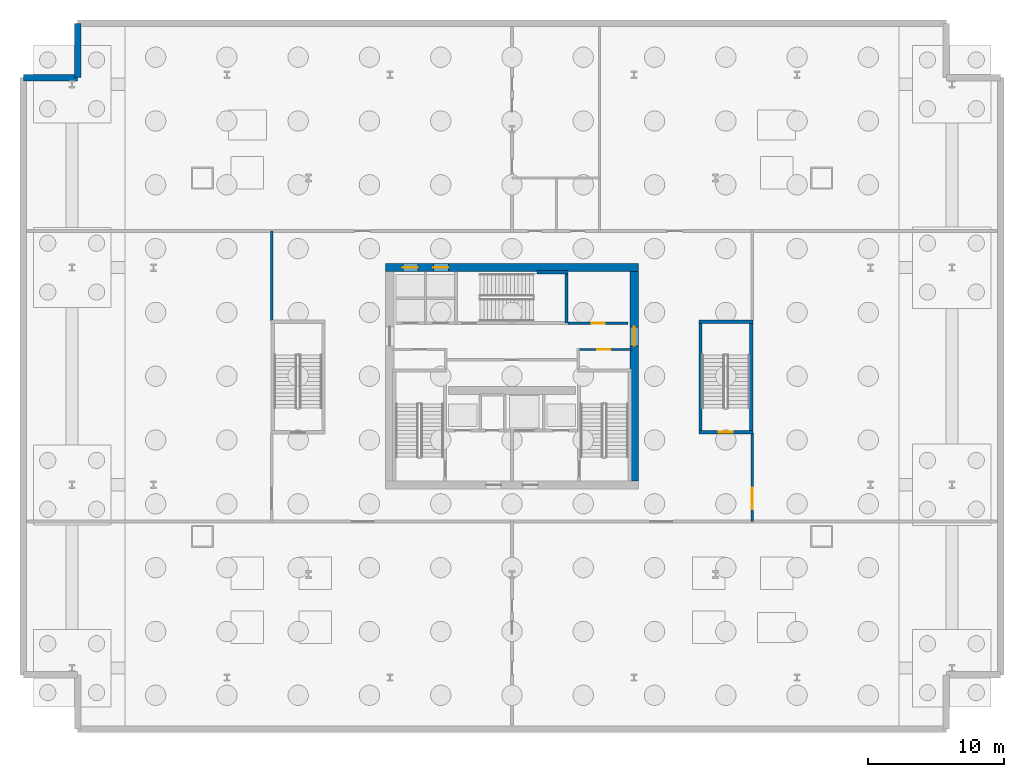
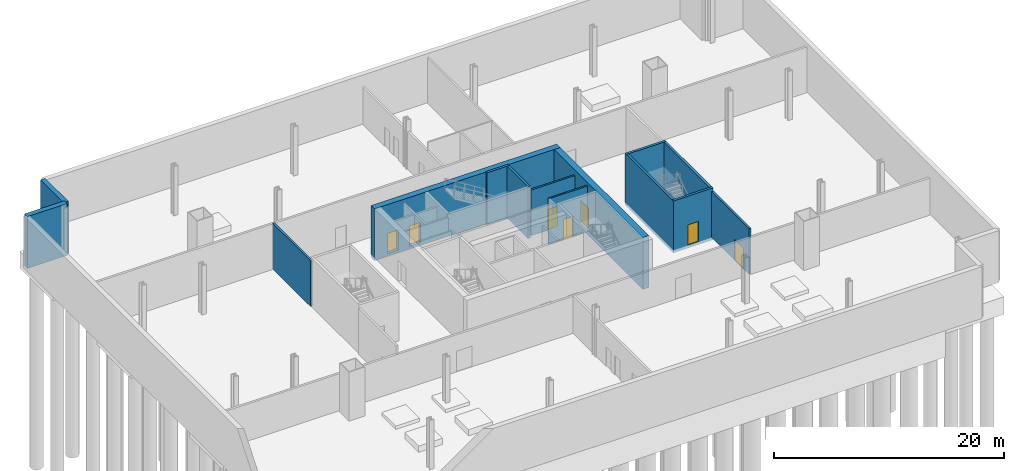
# One storey, part 4 of 8: 14 walls, 7 doors, 7 openings.
"""IFC4 building model written with IfcOpenShell, lengths in metres."""

from ifc_helpers import new_model, si_unit, direction, frame, frame_2d, origin, place, context, subcontext, project, spatial, rectangle, extrude, material, layer, layer_set, type_object, element, fill, save


model = new_model("IFC4")

# Units and contexts
model_context = context("Model", 3, precision=1e-05, world=origin(), true_north=direction((0.0, 1.0)))
body_context = subcontext(model_context, "Body", "Model", "MODEL_VIEW")
ifc_project = project(units=[si_unit("LENGTHUNIT", "METRE"), si_unit("AREAUNIT", "SQUARE_METRE"), si_unit("VOLUMEUNIT", "CUBIC_METRE"), si_unit("PLANEANGLEUNIT", "RADIAN"), si_unit("MASSUNIT", "GRAM", prefix="KILO")], contexts=[model_context])

# Site, building, storey
site_placement = place(None, origin())
site = spatial("IfcSite", under=ifc_project, at=site_placement, CompositionType="ELEMENT")
building_placement = place(site_placement, origin())
building = spatial("IfcBuilding", under=site, at=building_placement, Name="Haldenkirk Collegiate Tower", CompositionType="ELEMENT")
storey_placement = place(building_placement, frame((0.0, 0.0, -5.199951171875)))
storey = spatial("IfcBuildingStorey", under=building, at=storey_placement, Name="B1", CompositionType="ELEMENT", Elevation=-5.199951171875)

# Walls
ifc_material_1 = material(Name="Concrete f'c 55 MPa", Category="concrete")
ifc_layer_1 = layer(ifc_material_1, 0.47998046875)
ifc_layer_set_1 = layer_set([ifc_layer_1], Name="Concrete f'c 55 MPa")
wall_type_1 = type_object("IfcWallType", Name="WL-B1-RET-480", PredefinedType="SHEAR", material=ifc_layer_set_1)
for number, where, z_axis, x_axis, name in (
    (1, (4.0, 52.0, -0.300048828125), (0.0, 0.0, 1.0), (0.0, -1.0, 0.0), "B1 perimeter retaining wall 08"),
    (2, (4.0, 48.0, -0.300048828125), (0.0, 0.0, 1.0), (-1.0, 0.0, 0.0), "B1 perimeter retaining wall 09"),
):
    element("IfcWall", number, at=place(storey_placement, frame(where, z_axis=z_axis, x_axis=x_axis)), inside=storey, type_object=wall_type_1, Name=name, PredefinedType="SHEAR", context=body_context, shape_type="SweptSolid", body=[
        extrude(rectangle(XDim=4.0, YDim=0.47998046875, at=frame_2d((2.0, 0.0))), origin(), (0.0, 0.0, 1.0), 5.5),
    ])

# Wall, openings, doors
ifc_material_2 = material(Name="Concrete f'c 70 MPa", Category="concrete")
ifc_layer_2 = layer(ifc_material_2, 0.60009765625)
ifc_layer_set_2 = layer_set([ifc_layer_2], Name="Concrete f'c 70 MPa")
wall_type_2 = type_object("IfcWallType", Name="WL-CORE-600", PredefinedType="SHEAR", material=ifc_layer_set_2)
wall_1_placement = place(storey_placement, frame((26.699951171875, 34.0, -0.300048828125), z_axis=(0.0, 0.0, 1.0), x_axis=(1.0, 0.0, 0.0)))
wall_1 = element("IfcWall", 3, at=wall_1_placement, inside=storey, type_object=wall_type_2, Name="B1 central core shear wall N", PredefinedType="SHEAR", context=body_context, shape_type="SweptSolid", body=[
    extrude(rectangle(XDim=18.60009765625, YDim=0.60009765625, at=frame_2d((9.300048828125, 0.0))), origin(), (0.0, 0.0, 1.0), 5.5),
])
opening_1_placement = place(wall_1_placement, frame((1.264892578125, 0.0, 0.300048828125)))
opening_1 = element("IfcOpeningElement", 4, at=opening_1_placement, cuts=wall_1, Name="Opening LD-11", PredefinedType="OPENING", context=body_context, shape_type="SweptSolid", body=[
    extrude(rectangle(XDim=1.10009765625, YDim=2.14990234375, at=frame_2d((0.550048828125, 1.074951171875))), frame((0.0, 0.31005859375, 0.0), z_axis=(0.0, -1.0, 0.0), x_axis=(1.0, 0.0, 0.0)), (0.0, 0.0, 1.0), 0.6201171875),
])
opening_2_placement = place(wall_1_placement, frame((3.514892578125, 0.0, 0.300048828125)))
opening_2 = element("IfcOpeningElement", 5, at=opening_2_placement, cuts=wall_1, Name="Opening LD-11", PredefinedType="OPENING", context=body_context, shape_type="SweptSolid", body=[
    extrude(rectangle(XDim=1.10009765625, YDim=2.14990234375, at=frame_2d((0.550048828125, 1.074951171875))), frame((0.0, 0.31005859375, 0.0), z_axis=(0.0, -1.0, 0.0), x_axis=(1.0, 0.0, 0.0)), (0.0, 0.0, 1.0), 0.6201171875),
])
ifc_material_3 = material(Name="Brushed architectural stainless steel", Category="steel")
ifc_layer_3 = layer(ifc_material_3, 0.06005859375)
ifc_layer_set_3 = layer_set([ifc_layer_3], Name="Brushed architectural stainless steel")
door_type_1 = type_object("IfcDoorType", Name="LD-PASS-1100", OperationType="NOTDEFINED", PredefinedType="DOOR", material=ifc_layer_set_3)
door_1_placement = place(opening_1_placement, origin())
door_1 = element("IfcDoor", 6, at=door_1_placement, inside=storey, type_object=door_type_1, Name="B1 Elevator PL3 sliding landing door", OperationType="SLIDING_TO_LEFT", OverallHeight=2.14990234375, OverallWidth=1.10009765625, PredefinedType="DOOR", context=body_context, shape_type="SweptSolid", body=[
    extrude(rectangle(XDim=1.10009765625, YDim=2.14990234375, at=frame_2d((0.550048828125, 1.074951171875))), frame((0.0, 0.02490234375, 0.0), z_axis=(0.0, -1.0, 0.0), x_axis=(1.0, 0.0, 0.0)), (0.0, 0.0, 1.0), 0.050048828125),
])
fill(opening_1, door_1)
door_2_placement = place(opening_2_placement, origin())
door_2 = element("IfcDoor", 7, at=door_2_placement, inside=storey, type_object=door_type_1, Name="B1 Elevator PL4 sliding landing door", OperationType="SLIDING_TO_LEFT", OverallHeight=2.14990234375, OverallWidth=1.10009765625, PredefinedType="DOOR", context=body_context, shape_type="SweptSolid", body=[
    extrude(rectangle(XDim=1.10009765625, YDim=2.14990234375, at=frame_2d((0.550048828125, 1.074951171875))), frame((0.0, 0.02490234375, 0.0), z_axis=(0.0, -1.0, 0.0), x_axis=(1.0, 0.0, 0.0)), (0.0, 0.0, 1.0), 0.050048828125),
])
fill(opening_2, door_2)

# Wall, opening, door
wall_2_placement = place(storey_placement, frame((45.0, 18.300048828125, -0.300048828125), z_axis=(0.0, 0.0, 1.0), x_axis=(0.0, 1.0, 0.0)))
wall_2 = element("IfcWall", 8, at=wall_2_placement, inside=storey, type_object=wall_type_2, Name="B1 central core shear wall E", PredefinedType="SHEAR", context=body_context, shape_type="SweptSolid", body=[
    extrude(rectangle(XDim=15.39990234375, YDim=0.60009765625, at=frame_2d((7.699951171875, 0.0))), origin(), (0.0, 0.0, 1.0), 5.5),
])
opening_3_placement = place(wall_2_placement, frame((9.93994140625, 0.0, 0.300048828125)))
opening_3 = element("IfcOpeningElement", 9, at=opening_3_placement, cuts=wall_2, Name="Opening D-03", PredefinedType="OPENING", context=body_context, shape_type="SweptSolid", body=[
    extrude(rectangle(XDim=1.39990234375, YDim=2.199951171875, at=frame_2d((0.699951171875, 1.10009765625))), frame((0.0, 0.31005859375, 0.0), z_axis=(0.0, -1.0, 0.0), x_axis=(1.0, 0.0, 0.0)), (0.0, 0.0, 1.0), 0.6201171875),
])
ifc_material_4 = material(Name="Galvanized fire-rated hollow steel door", Category="steel")
ifc_layer_4 = layer(ifc_material_4, 0.06005859375)
ifc_layer_set_4 = layer_set([ifc_layer_4], Name="Galvanized fire-rated hollow steel door")
door_type_2 = type_object("IfcDoorType", Name="DR-LOBBY-FD90-1400", OperationType="NOTDEFINED", PredefinedType="DOOR", material=ifc_layer_set_4)
door_3_placement = place(opening_3_placement, origin())
door_3 = element("IfcDoor", 10, at=door_3_placement, inside=storey, type_object=door_type_2, Name="B1 east lift lobby portal", OperationType="DOUBLE_DOOR_SINGLE_SWING", OverallHeight=2.199951171875, OverallWidth=1.39990234375, PredefinedType="DOOR", context=body_context, shape_type="SweptSolid", body=[
    extrude(rectangle(XDim=1.39990234375, YDim=2.199951171875, at=frame_2d((0.699951171875, 1.10009765625))), frame((0.0, 0.02490234375, 0.0), z_axis=(0.0, -1.0, 0.0), x_axis=(1.0, 0.0, 0.0)), (0.0, 0.0, 1.0), 0.050048828125),
])
fill(opening_3, door_3)

ifc_material_5 = material(Name="Acoustic fire-rated gypsum partition", Category="concrete")
ifc_layer_5 = layer(ifc_material_5, 0.159912109375)
ifc_layer_set_5 = layer_set([ifc_layer_5], Name="Acoustic fire-rated gypsum partition")
wall_type_3 = type_object("IfcWallType", Name="WL-INT-CORR-160", PredefinedType="PARTITIONING", material=ifc_layer_set_5)
wall_3_placement = place(storey_placement, frame((40.800048828125, 27.97998046875, 0.0), z_axis=(0.0, 0.0, 1.0), x_axis=(1.0, 0.0, 0.0)))
wall_3 = element("IfcWall", 11, at=wall_3_placement, inside=storey, type_object=wall_type_3, Name="B1 interior partition IW-B1-VCSE-N", PredefinedType="PARTITIONING", context=body_context, shape_type="SweptSolid", body=[
    extrude(rectangle(XDim=4.050048828125, YDim=0.159912109375, at=frame_2d((2.02490234375, 0.0))), origin(), (0.0, 0.0, 1.0), 4.83984375),
])
opening_4_placement = place(wall_3_placement, frame((1.47509765625, 0.0, 0.0)))
opening_4 = element("IfcOpeningElement", 12, at=opening_4_placement, cuts=wall_3, Name="Opening D-10", PredefinedType="OPENING", context=body_context, shape_type="SweptSolid", body=[
    extrude(rectangle(XDim=0.949951171875, YDim=2.14990234375, at=frame_2d((0.47509765625, 1.074951171875))), frame((0.0, 0.08984375, 0.0), z_axis=(0.0, -1.0, 0.0), x_axis=(1.0, 0.0, 0.0)), (0.0, 0.0, 1.0), 0.179931640625),
])
ifc_material_6 = material(Name="Solid-core architectural oak fire door", Category="wood")
ifc_layer_6 = layer(ifc_material_6, 0.06005859375)
ifc_layer_set_6 = layer_set([ifc_layer_6], Name="Solid-core architectural oak fire door")
door_type_3 = type_object("IfcDoorType", Name="DR-INT-FD60-950", OperationType="NOTDEFINED", PredefinedType="DOOR", material=ifc_layer_set_6)
door_4_placement = place(opening_4_placement, origin())
door_4 = element("IfcDoor", 13, at=door_4_placement, inside=storey, type_object=door_type_3, Name="B1 core mechanical store door", OperationType="SINGLE_SWING_RIGHT", OverallHeight=2.14990234375, OverallWidth=0.949951171875, PredefinedType="DOOR", context=body_context, shape_type="SweptSolid", body=[
    extrude(rectangle(XDim=0.949951171875, YDim=2.14990234375, at=frame_2d((0.47509765625, 1.074951171875))), frame((0.0, 0.02490234375, 0.0), z_axis=(0.0, -1.0, 0.0), x_axis=(1.0, 0.0, 0.0)), (0.0, 0.0, 1.0), 0.050048828125),
])
fill(opening_4, door_4)

ifc_material_7 = material(Name="Fire-rated gypsum shaftboard assembly", Category="concrete")
ifc_layer_7 = layer(ifc_material_7, 0.179931640625)
ifc_layer_set_7 = layer_set([ifc_layer_7], Name="Fire-rated gypsum shaftboard assembly")
wall_type_4 = type_object("IfcWallType", Name="WL-INT-SHAFT-180", PredefinedType="PARTITIONING", material=ifc_layer_set_7)
wall_4_placement = place(storey_placement, frame((40.1201171875, 29.89990234375, 0.0), z_axis=(0.0, 0.0, 1.0), x_axis=(1.0, 0.0, 0.0)))
wall_4 = element("IfcWall", 14, at=wall_4_placement, inside=storey, type_object=wall_type_4, Name="B1 interior partition IW-B1-PMS", PredefinedType="PARTITIONING", context=body_context, shape_type="SweptSolid", body=[
    extrude(rectangle(XDim=4.429931640625, YDim=0.179931640625, at=frame_2d((2.21484375, 0.0))), origin(), (0.0, 0.0, 1.0), 4.83984375),
])
opening_5_placement = place(wall_4_placement, frame((1.7548828125, 0.0, 0.0)))
opening_5 = element("IfcOpeningElement", 15, at=opening_5_placement, cuts=wall_4, Name="Opening D-05", PredefinedType="OPENING", context=body_context, shape_type="SweptSolid", body=[
    extrude(rectangle(XDim=0.949951171875, YDim=2.14990234375, at=frame_2d((0.47509765625, 1.074951171875))), frame((0.0, 0.099853515625, 0.0), z_axis=(0.0, -1.0, 0.0), x_axis=(1.0, 0.0, 0.0)), (0.0, 0.0, 1.0), 0.199951171875),
])
ifc_layer_8 = layer(ifc_material_4, 0.06005859375)
ifc_layer_set_8 = layer_set([ifc_layer_8], Name="Galvanized fire-rated hollow steel door")
door_type_4 = type_object("IfcDoorType", Name="DR-INT-FD90-950", OperationType="NOTDEFINED", PredefinedType="DOOR", material=ifc_layer_set_8)
door_5_placement = place(opening_5_placement, origin())
door_5 = element("IfcDoor", 16, at=door_5_placement, inside=storey, type_object=door_type_4, Name="B1 core pump room door", OperationType="SINGLE_SWING_LEFT", OverallHeight=2.14990234375, OverallWidth=0.949951171875, PredefinedType="DOOR", context=body_context, shape_type="SweptSolid", body=[
    extrude(rectangle(XDim=0.949951171875, YDim=2.14990234375, at=frame_2d((0.47509765625, 1.074951171875))), frame((0.0, 0.02490234375, 0.0), z_axis=(0.0, -1.0, 0.0), x_axis=(1.0, 0.0, 0.0)), (0.0, 0.0, 1.0), 0.050048828125),
])
fill(opening_5, door_5)

# Wall
ifc_layer_9 = layer(ifc_material_7, 0.199951171875)
ifc_layer_set_9 = layer_set([ifc_layer_9], Name="Fire-rated gypsum shaftboard assembly")
wall_type_5 = type_object("IfcWallType", Name="WL-INT-SHAFT-200", PredefinedType="PARTITIONING", material=ifc_layer_set_9)
wall_5_placement = place(storey_placement, frame((18.300048828125, 30.080078125, 0.0), z_axis=(0.0, 0.0, 1.0), x_axis=(0.0, 1.0, 0.0)))
element("IfcWall", 17, at=wall_5_placement, inside=storey, type_object=wall_type_5, Name="B1 interior partition IW-B1-CWN", PredefinedType="PARTITIONING", context=body_context, shape_type="SweptSolid", body=[
    extrude(rectangle(XDim=6.619873046875, YDim=0.199951171875, at=frame_2d((3.31005859375, 0.0))), origin(), (0.0, 0.0, 1.0), 4.83984375),
])

# Wall, opening, door
wall_6_placement = place(storey_placement, frame((53.699951171875, 15.300048828125, 0.0), z_axis=(0.0, 0.0, 1.0), x_axis=(0.0, 1.0, 0.0)))
wall_6 = element("IfcWall", 18, at=wall_6_placement, inside=storey, type_object=wall_type_5, Name="B1 interior partition IW-B1-CE", PredefinedType="PARTITIONING", context=body_context, shape_type="SweptSolid", body=[
    extrude(rectangle(XDim=6.52001953125, YDim=0.199951171875, at=frame_2d((3.260009765625, 0.0))), origin(), (0.0, 0.0, 1.0), 4.83984375),
])
opening_6_placement = place(wall_6_placement, frame((0.89990234375, 0.0, 0.0)))
opening_6 = element("IfcOpeningElement", 19, at=opening_6_placement, cuts=wall_6, Name="Opening D-04", PredefinedType="OPENING", context=body_context, shape_type="SweptSolid", body=[
    extrude(rectangle(XDim=1.60009765625, YDim=2.199951171875, at=frame_2d((0.800048828125, 1.10009765625))), frame((0.0, 0.10986328125, 0.0), z_axis=(0.0, -1.0, 0.0), x_axis=(1.0, 0.0, 0.0)), (0.0, 0.0, 1.0), 0.219970703125),
])
ifc_layer_10 = layer(ifc_material_4, 0.06005859375)
ifc_layer_set_10 = layer_set([ifc_layer_10], Name="Galvanized fire-rated hollow steel door")
door_type_5 = type_object("IfcDoorType", Name="DR-DBL-FD90-1600", OperationType="NOTDEFINED", PredefinedType="DOOR", material=ifc_layer_set_10)
door_6_placement = place(opening_6_placement, origin())
door_6 = element("IfcDoor", 20, at=door_6_placement, inside=storey, type_object=door_type_5, Name="B1 workshop door", OperationType="DOUBLE_DOOR_SINGLE_SWING", OverallHeight=2.199951171875, OverallWidth=1.60009765625, PredefinedType="DOOR", context=body_context, shape_type="SweptSolid", body=[
    extrude(rectangle(XDim=1.60009765625, YDim=2.199951171875, at=frame_2d((0.800048828125, 1.10009765625))), frame((0.0, 0.02490234375, 0.0), z_axis=(0.0, -1.0, 0.0), x_axis=(1.0, 0.0, 0.0)), (0.0, 0.0, 1.0), 0.050048828125),
])
fill(opening_6, door_6)

# Walls
ifc_layer_11 = layer(ifc_material_1, 0.239990234375)
ifc_layer_set_11 = layer_set([ifc_layer_11], Name="Concrete f'c 55 MPa")
wall_type_6 = type_object("IfcWallType", Name="WL-SHAFT-240", PredefinedType="SHEAR", material=ifc_layer_set_11)
wall_7_placement = place(storey_placement, frame((40.02001953125, 29.929931640625, -0.300048828125), z_axis=(0.0, 0.0, 1.0), x_axis=(0.0, 1.0, 0.0)))
element("IfcWall", 21, at=wall_7_placement, inside=storey, type_object=wall_type_6, Name="B1 stair shaft shear wall SW-B1-ST3E", PredefinedType="SHEAR", context=body_context, shape_type="SweptSolid", body=[
    extrude(rectangle(XDim=3.85009765625, YDim=0.239990234375, at=frame_2d((1.925048828125, 0.0))), origin(), (0.0, 0.0, 1.0), 5.5),
])
wall_8_placement = place(storey_placement, frame((37.85009765625, 33.659912109375, -0.300048828125), z_axis=(0.0, 0.0, 1.0), x_axis=(1.0, 0.0, 0.0)))
element("IfcWall", 22, at=wall_8_placement, inside=storey, type_object=wall_type_6, Name="B1 stair shaft shear wall SW-B1-ST3N", PredefinedType="SHEAR", context=body_context, shape_type="SweptSolid", body=[
    extrude(rectangle(XDim=2.289794921875, YDim=0.239990234375, at=frame_2d((1.14501953125, 0.0))), origin(), (0.0, 0.0, 1.0), 5.5),
])
for number, where, z_axis, x_axis, name in (
    (23, (49.8798828125, 21.760009765625, -0.300048828125), (0.0, 0.0, 1.0), (0.0, 1.0, 0.0), "B1 stair shaft shear wall SW-B1-ST5W"),
    (24, (53.6201171875, 21.760009765625, -0.300048828125), (0.0, 0.0, 1.0), (0.0, 1.0, 0.0), "B1 stair shaft shear wall SW-B1-ST5E"),
):
    element("IfcWall", number, at=place(storey_placement, frame(where, z_axis=z_axis, x_axis=x_axis)), inside=storey, type_object=wall_type_6, Name=name, PredefinedType="SHEAR", context=body_context, shape_type="SweptSolid", body=[
        extrude(rectangle(XDim=8.3798828125, YDim=0.239990234375, at=frame_2d((4.18994140625, 0.0))), origin(), (0.0, 0.0, 1.0), 5.5),
    ])

# Wall, opening, door
wall_9_placement = place(storey_placement, frame((49.760009765625, 21.8798828125, -0.300048828125), z_axis=(0.0, 0.0, 1.0), x_axis=(1.0, 0.0, 0.0)))
wall_9 = element("IfcWall", 25, at=wall_9_placement, inside=storey, type_object=wall_type_6, Name="B1 stair shaft shear wall SW-B1-ST5S", PredefinedType="SHEAR", context=body_context, shape_type="SweptSolid", body=[
    extrude(rectangle(XDim=3.97998046875, YDim=0.239990234375, at=frame_2d((1.989990234375, 0.0))), origin(), (0.0, 0.0, 1.0), 5.5),
])
opening_7_placement = place(wall_9_placement, frame((1.465087890625, 0.0, 0.300048828125)))
opening_7 = element("IfcOpeningElement", 26, at=opening_7_placement, cuts=wall_9, Name="Opening D-01", PredefinedType="OPENING", context=body_context, shape_type="SweptSolid", body=[
    extrude(rectangle(XDim=1.050048828125, YDim=2.14990234375, at=frame_2d((0.52490234375, 1.074951171875))), frame((0.0, 0.1298828125, 0.0), z_axis=(0.0, -1.0, 0.0), x_axis=(1.0, 0.0, 0.0)), (0.0, 0.0, 1.0), 0.260009765625),
])
ifc_layer_12 = layer(ifc_material_4, 0.06005859375)
ifc_layer_set_12 = layer_set([ifc_layer_12], Name="Galvanized fire-rated hollow steel door")
door_type_6 = type_object("IfcDoorType", Name="DR-STAIR-FD90-1050", OperationType="NOTDEFINED", PredefinedType="DOOR", material=ifc_layer_set_12)
door_7_placement = place(opening_7_placement, origin())
door_7 = element("IfcDoor", 27, at=door_7_placement, inside=storey, type_object=door_type_6, Name="B1 Stair 5 door", OperationType="SINGLE_SWING_RIGHT", OverallHeight=2.14990234375, OverallWidth=1.050048828125, PredefinedType="DOOR", context=body_context, shape_type="SweptSolid", body=[
    extrude(rectangle(XDim=1.050048828125, YDim=2.14990234375, at=frame_2d((0.52490234375, 1.074951171875))), frame((0.0, 0.02490234375, 0.0), z_axis=(0.0, -1.0, 0.0), x_axis=(1.0, 0.0, 0.0)), (0.0, 0.0, 1.0), 0.050048828125),
])
fill(opening_7, door_7)

# Wall
wall_10_placement = place(storey_placement, frame((49.760009765625, 30.02001953125, -0.300048828125), z_axis=(0.0, 0.0, 1.0), x_axis=(1.0, 0.0, 0.0)))
element("IfcWall", 28, at=wall_10_placement, inside=storey, type_object=wall_type_6, Name="B1 stair shaft shear wall SW-B1-ST5N", PredefinedType="SHEAR", context=body_context, shape_type="SweptSolid", body=[
    extrude(rectangle(XDim=3.97998046875, YDim=0.239990234375, at=frame_2d((1.989990234375, 0.0))), origin(), (0.0, 0.0, 1.0), 5.5),
])

save(model, "model.ifc")
